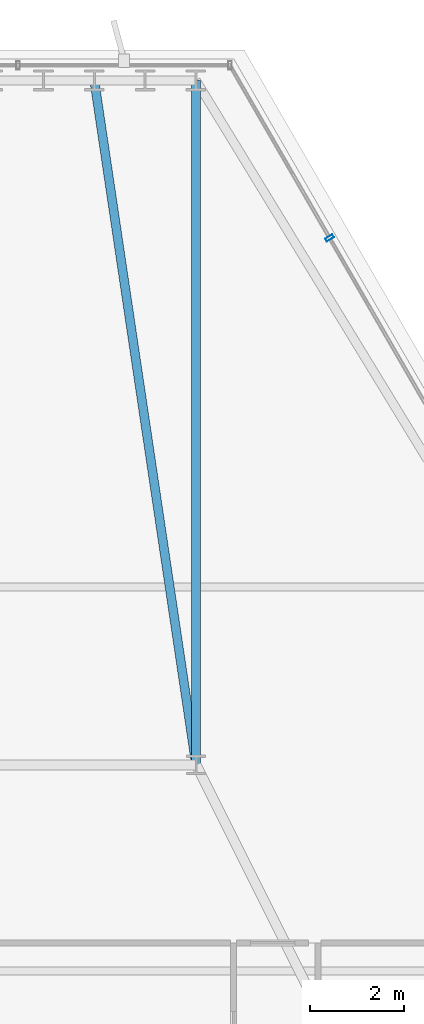
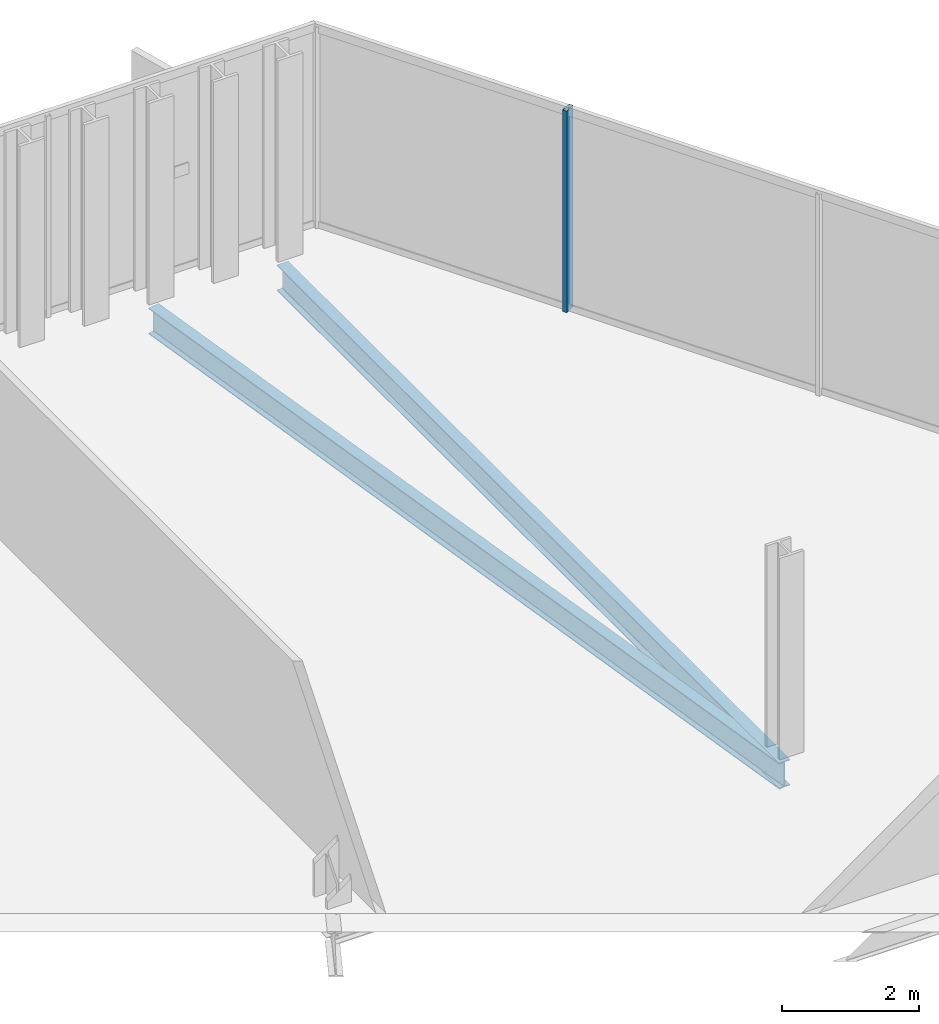
# One storey, part 22 of 34: 2 beams, 1 member, 1 element without a shape of its own.
"""IFC4 building model written with IfcOpenShell, lengths in metres."""

from ifc_helpers import new_model, si_unit, direction, frame, origin, origin_2d, place, context, subcontext, project, spatial, hollow_rectangle, i_section, extrude, material, layer, layer_set, material_profile, profile_set, type_object, element, aggregate, save


model = new_model("IFC4")

# Units and contexts
model_context = context("Model", 3, precision=1e-05, world=origin(), true_north=direction((0.0, 1.0)))
body_context = subcontext(model_context, "Body", "Model", "MODEL_VIEW")
ifc_project = project(units=[si_unit("LENGTHUNIT", "METRE"), si_unit("AREAUNIT", "SQUARE_METRE"), si_unit("VOLUMEUNIT", "CUBIC_METRE"), si_unit("PLANEANGLEUNIT", "RADIAN"), si_unit("MASSUNIT", "GRAM", prefix="KILO")], contexts=[model_context])

# Site, building, storey
site_placement = place(None, origin())
site = spatial("IfcSite", under=ifc_project, at=site_placement, CompositionType="ELEMENT")
building_placement = place(site_placement, origin())
building = spatial("IfcBuilding", under=site, at=building_placement, Name="Ndaravel Arena Tower", CompositionType="ELEMENT")
storey_placement = place(building_placement, frame((0.0, 0.0, 191.60009765625)))
storey = spatial("IfcBuildingStorey", under=building, at=storey_placement, Name="L46", CompositionType="ELEMENT", Elevation=191.60009765625)

# Beams
ifc_material_1 = material(Name="Steel S355", Category="steel")
ifc_material_profile_1 = material_profile(ifc_material_1, i_section(OverallWidth=0.19140625, OverallDepth=0.4599609375, WebThickness=0.010009765625, FlangeThickness=0.01611328125, FilletRadius=0.01025390625, at=origin_2d()), Name="UB 457x191x82")
ifc_profile_set_1 = profile_set([ifc_material_profile_1], Name="Steel S355")
beam_type = type_object("IfcBeamType", Name="BM-GIRD-UB457", PredefinedType="BEAM", material=ifc_profile_set_1)
beam_1_placement = place(storey_placement, frame((45.7958984375, 45.805908203125, -0.4501953125), z_axis=(0.000284157378, -0.999999959627, 0.0), x_axis=(0.999999959627, 0.000284157378, 0.0)))
element("IfcBeam", 1, at=beam_1_placement, inside=storey, type_object=beam_type, Name="L46 Radial Floor Girder FG-11", PredefinedType="BEAM", context=body_context, shape_type="SweptSolid", body=[
    extrude(i_section(OverallWidth=0.19140625, OverallDepth=0.4599609375, WebThickness=0.010009765625, FlangeThickness=0.01611328125, FilletRadius=0.01025390625, at=origin_2d()), origin(), (0.0, 0.0, 1.0), 14.60595703125),
])
beam_2_placement = place(storey_placement, frame((43.626953125, 45.805908203125, -0.4501953125), z_axis=(0.147161602407, -0.989112462148, 0.0), x_axis=(0.989112462148, 0.147161602407, 0.0)))
element("IfcBeam", 2, at=beam_2_placement, inside=storey, type_object=beam_type, Name="L46 Radial Floor Girder FG-13", PredefinedType="BEAM", context=body_context, shape_type="SweptSolid", body=[
    extrude(i_section(OverallWidth=0.19140625, OverallDepth=0.4599609375, WebThickness=0.010009765625, FlangeThickness=0.01611328125, FilletRadius=0.01025390625, at=origin_2d()), origin(), (0.0, 0.0, 1.0), 14.766845703125),
])

# Curtain wall, member
ifc_material_2 = material(Name="Aluminium", Category="aluminium")
ifc_layer = layer(ifc_material_2, 0.179931640625)
ifc_layer_set = layer_set([ifc_layer], Name="Aluminium")
curtain_wall_type = type_object("IfcCurtainWallType", Name="CW-SYS-03", PredefinedType="NOTDEFINED", material=ifc_layer_set)
curtain_wall_placement = place(storey_placement, origin())
curtain_wall = element("IfcCurtainWall", 3, at=curtain_wall_placement, inside=storey, type_object=curtain_wall_type, Name="L46 Faceted Crystal Curtain Wall CW-L46-E03", PredefinedType="NOTDEFINED")
ifc_material_3 = material(Name="Aluminium", Category="aluminium")
ifc_material_profile_2 = material_profile(ifc_material_3, hollow_rectangle(XDim=0.074951171875, YDim=0.179931640625, WallThickness=0.00390625, at=origin_2d()), Name="CW MULLION 75x180x4")
ifc_profile_set_2 = profile_set([ifc_material_profile_2], Name="Aluminium")
member_type = type_object("IfcMemberType", Name="MEM-CW-MUL180", PredefinedType="MULLION", material=ifc_profile_set_2)
member_placement = place(storey_placement, frame((48.6484375, 42.444580078125, 0.0), z_axis=(0.0, 0.0, 1.0), x_axis=(-0.5, 0.866025403784, 0.0)))
member = element("IfcMember", 4, at=member_placement, type_object=member_type, Name="CW-L46-E03 Mullion 08", PredefinedType="MULLION", context=body_context, shape_type="SweptSolid", body=[
    extrude(hollow_rectangle(XDim=0.074951171875, YDim=0.179931640625, WallThickness=0.00390625, at=origin_2d()), origin(), (0.0, 0.0, 1.0), 3.579833984375),
])
aggregate(curtain_wall, [member])

save(model, "model.ifc")
